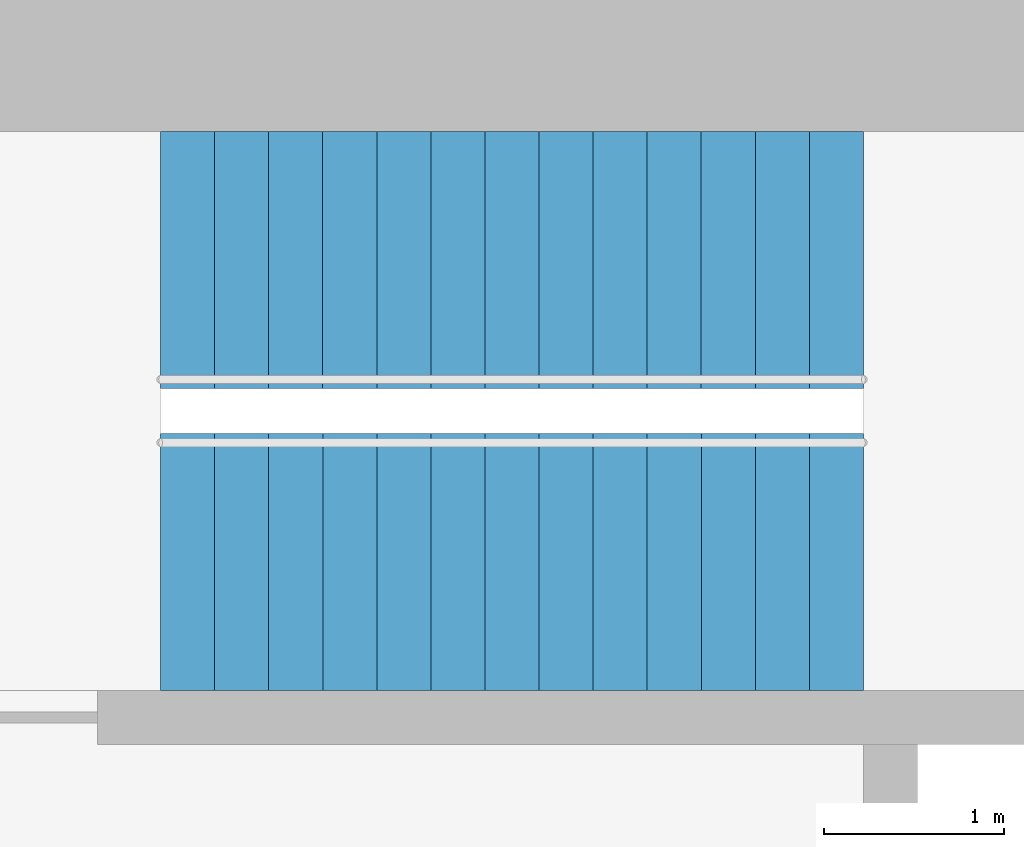
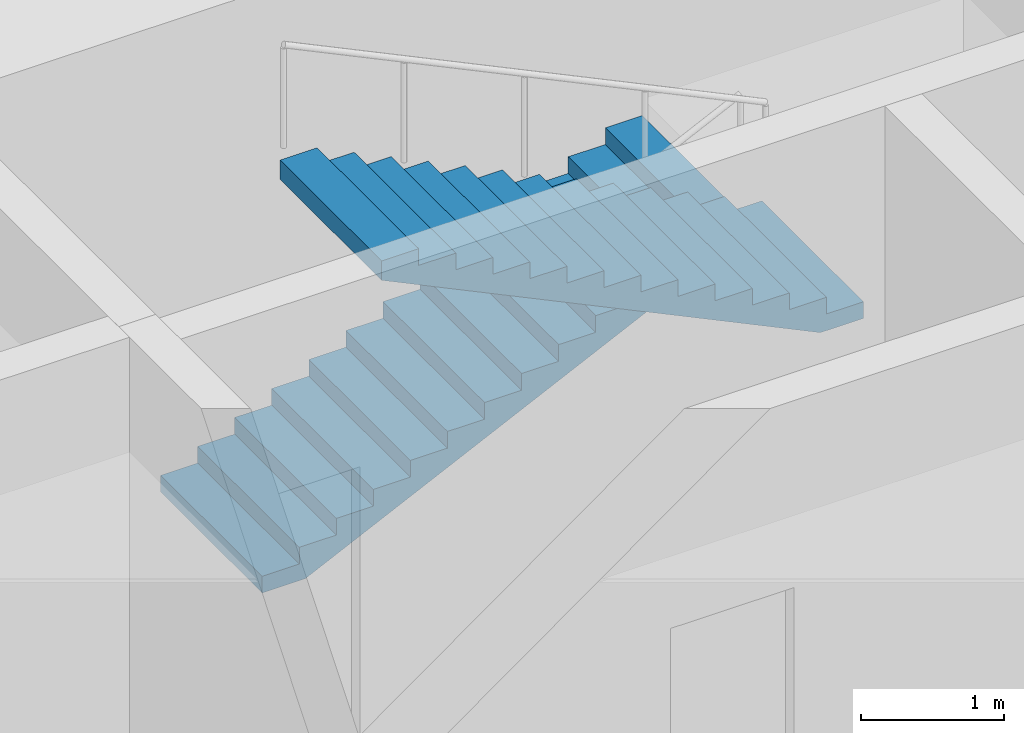
# One storey, part 32 of 34: 2 stair flights, 1 element without a shape of its own.
"""IFC4 building model written with IfcOpenShell, lengths in metres."""

from ifc_helpers import new_model, si_unit, direction, frame, origin, place, context, subcontext, project, spatial, polyline, outline, extrude, material, type_object, element, aggregate, save


model = new_model("IFC4")

# Units and contexts
model_context = context("Model", 3, precision=1e-05, world=origin(), true_north=direction((0.0, 1.0)))
body_context = subcontext(model_context, "Body", "Model", "MODEL_VIEW")
ifc_project = project(units=[si_unit("LENGTHUNIT", "METRE"), si_unit("AREAUNIT", "SQUARE_METRE"), si_unit("VOLUMEUNIT", "CUBIC_METRE"), si_unit("PLANEANGLEUNIT", "RADIAN"), si_unit("MASSUNIT", "GRAM", prefix="KILO")], contexts=[model_context])

# Site, building, storey
site_placement = place(None, origin())
site = spatial("IfcSite", under=ifc_project, at=site_placement, CompositionType="ELEMENT")
building_placement = place(site_placement, origin())
building = spatial("IfcBuilding", under=site, at=building_placement, Name="Zorevar Civic Tower", CompositionType="ELEMENT")
storey_placement = place(building_placement, frame((0.0, 0.0, 174.199951171875)))
storey = spatial("IfcBuildingStorey", under=building, at=storey_placement, Name="L42", CompositionType="ELEMENT", Elevation=174.199951171875)

# Stair, stair flights
ifc_material_1 = material(Name="Precast concrete C40/50", Category="concrete")
stair_type = type_object("IfcStairType", Name="Stair ST 28R", PredefinedType="HALF_TURN_STAIR", material=ifc_material_1)
stair_placement = place(storey_placement, origin())
stair = element("IfcStair", 1, at=stair_placement, inside=storey, type_object=stair_type, Name="Stair ST2 L42", PredefinedType="HALF_TURN_STAIR")
ifc_material_2 = material(Name="Precast concrete C40/50", Category="concrete")
stair_flight_type = type_object("IfcStairFlightType", Name="Stair flight", PredefinedType="STRAIGHT", material=ifc_material_2)
stair_flight_1_placement = place(storey_placement, frame((37.949951171875, 34.737548828125, 0.0), z_axis=(0.0, 0.0, 1.0), x_axis=(1.0, 0.0, 0.0)))
stair_flight_1 = element("IfcStairFlight", 2, at=stair_flight_1_placement, type_object=stair_flight_type, Name="ST2 flight 1", NumberOfRisers=14, NumberOfTreads=13, PredefinedType="STRAIGHT", RiserHeight=0.142857143, TreadLength=0.3, context=body_context, shape_type="SweptSolid", body=[
    extrude(outline(polyline([(0.0, 0.0), (0.0, 0.142822265625), (0.300048828125, 0.142822265625), (0.300048828125, 0.28564453125), (0.60009765625, 0.28564453125), (0.60009765625, 0.428466796875), (0.89990234375, 0.428466796875), (0.89990234375, 0.571533203125), (1.199951171875, 0.571533203125), (1.199951171875, 0.71435546875), (1.5, 0.71435546875), (1.5, 0.857177734375), (1.800048828125, 0.857177734375), (1.800048828125, 1.0), (2.10009765625, 1.0), (2.10009765625, 1.142822265625), (2.39990234375, 1.142822265625), (2.39990234375, 1.28564453125), (2.699951171875, 1.28564453125), (2.699951171875, 1.428466796875), (3.0, 1.428466796875), (3.0, 1.571533203125), (3.300048828125, 1.571533203125), (3.300048828125, 1.71435546875), (3.60009765625, 1.71435546875), (3.60009765625, 1.857177734375), (3.89990234375, 1.857177734375), (3.89990234375, 2.0), (3.89990234375, 1.691162109375), (0.3486328125, 0.0), (0.0, 0.0)])), frame((0.0, 0.71240234375, 0.0), z_axis=(0.0, -1.0, 0.0), x_axis=(1.0, 0.0, 0.0)), (0.0, 0.0, 1.0), 1.425048828125),
])
stair_flight_2_placement = place(storey_placement, frame((41.85009765625, 33.0625, 2.0), z_axis=(0.0, 0.0, 1.0), x_axis=(-1.0, 0.0, 0.0)))
stair_flight_2 = element("IfcStairFlight", 3, at=stair_flight_2_placement, type_object=stair_flight_type, Name="ST2 flight 2", NumberOfRisers=14, NumberOfTreads=13, PredefinedType="STRAIGHT", RiserHeight=0.142857143, TreadLength=0.3, context=body_context, shape_type="SweptSolid", body=[
    extrude(outline(polyline([(0.0, 0.0), (0.0, 0.142822265625), (0.300048828125, 0.142822265625), (0.300048828125, 0.28564453125), (0.60009765625, 0.28564453125), (0.60009765625, 0.428466796875), (0.89990234375, 0.428466796875), (0.89990234375, 0.571533203125), (1.199951171875, 0.571533203125), (1.199951171875, 0.71435546875), (1.5, 0.71435546875), (1.5, 0.857177734375), (1.800048828125, 0.857177734375), (1.800048828125, 1.0), (2.10009765625, 1.0), (2.10009765625, 1.142822265625), (2.39990234375, 1.142822265625), (2.39990234375, 1.28564453125), (2.699951171875, 1.28564453125), (2.699951171875, 1.428466796875), (3.0, 1.428466796875), (3.0, 1.571533203125), (3.300048828125, 1.571533203125), (3.300048828125, 1.71435546875), (3.60009765625, 1.71435546875), (3.60009765625, 1.857177734375), (3.89990234375, 1.857177734375), (3.89990234375, 2.0), (3.89990234375, 1.691162109375), (0.3486328125, 0.0), (0.0, 0.0)])), frame((0.0, 0.71240234375, 0.0), z_axis=(0.0, -1.0, 0.0), x_axis=(1.0, 0.0, 0.0)), (0.0, 0.0, 1.0), 1.425048828125),
])
aggregate(stair, [stair_flight_1, stair_flight_2])

save(model, "model.ifc")
